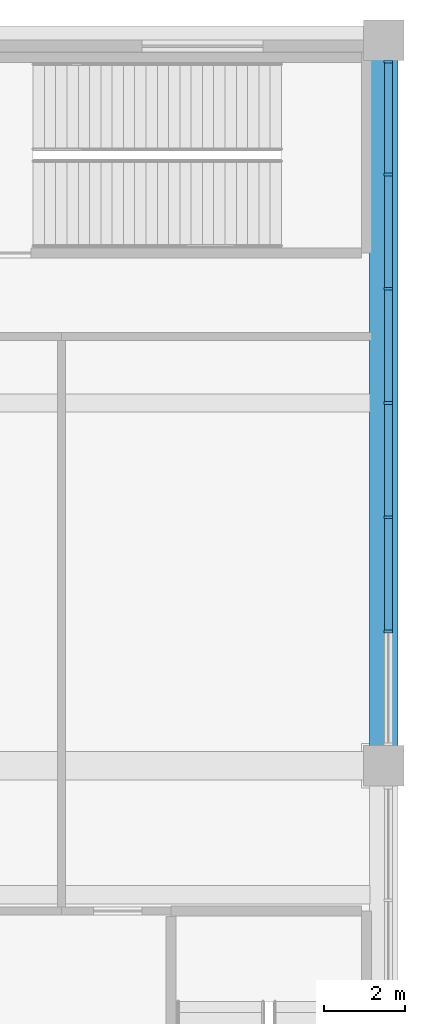
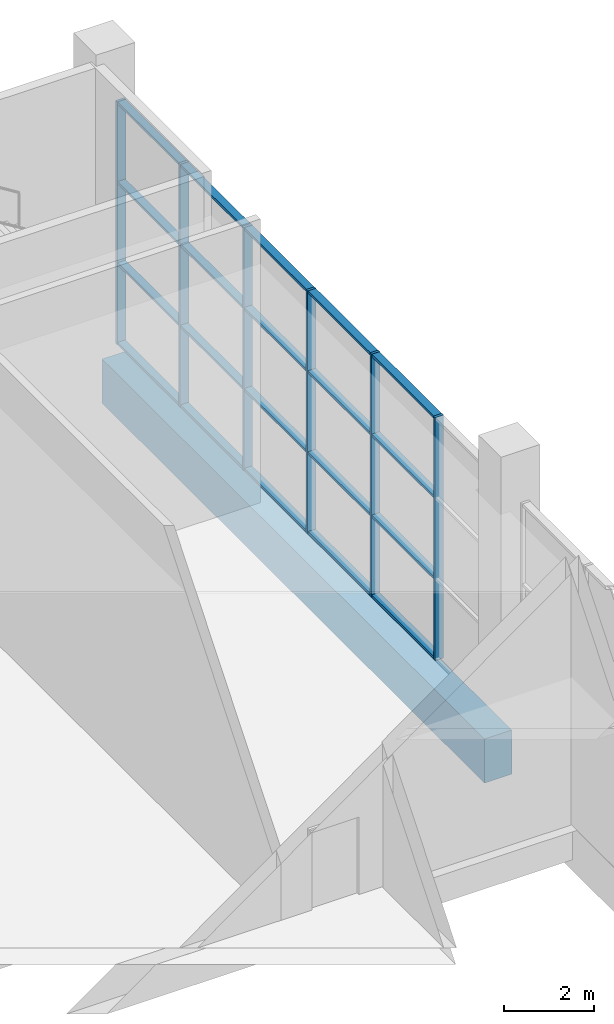
# One storey, part 3 of 15: 26 members, 1 beam, 1 element without a shape of its own.
"""IFC4 building model written with IfcOpenShell, lengths in metres."""

from ifc_helpers import new_model, si_unit, direction, frame, origin, origin_2d, place, context, subcontext, project, spatial, rectangle, extrude, material, material_profile, profile_set, type_object, element, aggregate, save


model = new_model("IFC4")

# Units and contexts
model_context = context("Model", 3, precision=1e-05, world=origin(), true_north=direction((0.0, 1.0)))
body_context = subcontext(model_context, "Body", "Model", "MODEL_VIEW")
ifc_project = project(units=[si_unit("LENGTHUNIT", "METRE"), si_unit("AREAUNIT", "SQUARE_METRE"), si_unit("VOLUMEUNIT", "CUBIC_METRE"), si_unit("PLANEANGLEUNIT", "RADIAN"), si_unit("MASSUNIT", "GRAM", prefix="KILO")], contexts=[model_context])

# Site, building, storey
site_placement = place(None, origin())
site = spatial("IfcSite", under=ifc_project, at=site_placement, CompositionType="ELEMENT")
building_placement = place(site_placement, origin())
building = spatial("IfcBuilding", under=site, at=building_placement, Name="Vanh Sen Convention Tower", CompositionType="ELEMENT")
storey_placement = place(building_placement, frame((0.0, 0.0, 21.0)))
storey = spatial("IfcBuildingStorey", under=building, at=storey_placement, Name="L03", CompositionType="ELEMENT", Elevation=21.0)

# Curtain wall, members
ifc_material_1 = material(Name="Aluminium structural glazing system", Category="aluminium")
curtain_wall_type = type_object("IfcCurtainWallType", Name="Podium hall structural glazing", PredefinedType="NOTDEFINED", material=ifc_material_1)
curtain_wall_placement = place(storey_placement, origin())
curtain_wall = element("IfcCurtainWall", 1, at=curtain_wall_placement, inside=storey, type_object=curtain_wall_type, Name="Podium hall glazing 3 L03", PredefinedType="NOTDEFINED")
ifc_material_2 = material(Name="Aluminium mullion", Category="aluminium")
ifc_material_profile_1 = material_profile(ifc_material_2, rectangle(XDim=0.219970703125, YDim=0.070068359375, at=origin_2d()), Name="Hall glazing mullion 70 x 220")
ifc_profile_set_1 = profile_set([ifc_material_profile_1], Name="Aluminium mullion")
member_type_1 = type_object("IfcMemberType", Name="Hall glazing mullion 70 x 220", PredefinedType="MULLION", material=ifc_profile_set_1)
member_1_placement = place(storey_placement, frame((45.110107421875, 12.333251953125, 0.0), z_axis=(0.0, 0.0, 1.0), x_axis=(-1.0, 0.0, 0.0)))
member_1 = element("IfcMember", 2, at=member_1_placement, type_object=member_type_1, Name="CW4 mullion 2", PredefinedType="MULLION", context=body_context, shape_type="SweptSolid", body=[
    extrude(rectangle(XDim=0.219970703125, YDim=0.070068359375, at=origin_2d()), origin(), (0.0, 0.0, 1.0), 6.60009765625),
])
member_2_placement = place(storey_placement, frame((45.110107421875, 15.166748046875, 0.0), z_axis=(0.0, 0.0, 1.0), x_axis=(-1.0, 0.0, 0.0)))
member_2 = element("IfcMember", 3, at=member_2_placement, type_object=member_type_1, Name="CW4 mullion 3", PredefinedType="MULLION", context=body_context, shape_type="SweptSolid", body=[
    extrude(rectangle(XDim=0.219970703125, YDim=0.070068359375, at=origin_2d()), origin(), (0.0, 0.0, 1.0), 6.60009765625),
])
member_3_placement = place(storey_placement, frame((45.110107421875, 18.0, 0.0), z_axis=(0.0, 0.0, 1.0), x_axis=(-1.0, 0.0, 0.0)))
member_3 = element("IfcMember", 4, at=member_3_placement, type_object=member_type_1, Name="CW4 mullion 4", PredefinedType="MULLION", context=body_context, shape_type="SweptSolid", body=[
    extrude(rectangle(XDim=0.219970703125, YDim=0.070068359375, at=origin_2d()), origin(), (0.0, 0.0, 1.0), 6.60009765625),
])
member_4_placement = place(storey_placement, frame((45.110107421875, 20.833251953125, 0.0), z_axis=(0.0, 0.0, 1.0), x_axis=(-1.0, 0.0, 0.0)))
member_4 = element("IfcMember", 5, at=member_4_placement, type_object=member_type_1, Name="CW4 mullion 5", PredefinedType="MULLION", context=body_context, shape_type="SweptSolid", body=[
    extrude(rectangle(XDim=0.219970703125, YDim=0.070068359375, at=origin_2d()), origin(), (0.0, 0.0, 1.0), 6.60009765625),
])
member_5_placement = place(storey_placement, frame((45.110107421875, 23.666748046875, 0.0), z_axis=(0.0, 0.0, 1.0), x_axis=(-1.0, 0.0, 0.0)))
member_5 = element("IfcMember", 6, at=member_5_placement, type_object=member_type_1, Name="CW4 mullion 6", PredefinedType="MULLION", context=body_context, shape_type="SweptSolid", body=[
    extrude(rectangle(XDim=0.219970703125, YDim=0.070068359375, at=origin_2d()), origin(), (0.0, 0.0, 1.0), 6.60009765625),
])
member_6_placement = place(storey_placement, frame((45.110107421875, 26.465087890625, 0.0), z_axis=(0.0, 0.0, 1.0), x_axis=(-1.0, 0.0, 0.0)))
member_6 = element("IfcMember", 7, at=member_6_placement, type_object=member_type_1, Name="CW4 mullion 7", PredefinedType="MULLION", context=body_context, shape_type="SweptSolid", body=[
    extrude(rectangle(XDim=0.219970703125, YDim=0.070068359375, at=origin_2d()), origin(), (0.0, 0.0, 1.0), 6.60009765625),
])
ifc_material_3 = material(Name="Aluminium transom", Category="aluminium")
ifc_material_profile_2 = material_profile(ifc_material_3, rectangle(XDim=0.199951171875, YDim=0.070068359375, at=origin_2d()), Name="Hall glazing transom 200 x 70")
ifc_profile_set_2 = profile_set([ifc_material_profile_2], Name="Aluminium transom")
member_type_2 = type_object("IfcMemberType", Name="Hall glazing transom 200 x 70", PredefinedType="USERDEFINED", material=ifc_profile_set_2)
member_7_placement = place(storey_placement, frame((45.110107421875, 12.368408203125, 0.034912109375), z_axis=(0.0, 1.0, 0.0), x_axis=(-1.0, 0.0, 0.0)))
member_7 = element("IfcMember", 8, at=member_7_placement, type_object=member_type_2, Name="CW4 transom 2.1", ObjectType="TRANSOM", PredefinedType="USERDEFINED", context=body_context, shape_type="SweptSolid", body=[
    extrude(rectangle(XDim=0.199951171875, YDim=0.070068359375, at=origin_2d()), origin(), (0.0, 0.0, 1.0), 2.76318359375),
])
member_8_placement = place(storey_placement, frame((45.110107421875, 12.368408203125, 2.199951171875), z_axis=(0.0, 1.0, 0.0), x_axis=(-1.0, 0.0, 0.0)))
member_8 = element("IfcMember", 9, at=member_8_placement, type_object=member_type_2, Name="CW4 transom 2.2", ObjectType="TRANSOM", PredefinedType="USERDEFINED", context=body_context, shape_type="SweptSolid", body=[
    extrude(rectangle(XDim=0.199951171875, YDim=0.070068359375, at=origin_2d()), origin(), (0.0, 0.0, 1.0), 2.76318359375),
])
member_9_placement = place(storey_placement, frame((45.110107421875, 12.368408203125, 4.39990234375), z_axis=(0.0, 1.0, 0.0), x_axis=(-1.0, 0.0, 0.0)))
member_9 = element("IfcMember", 10, at=member_9_placement, type_object=member_type_2, Name="CW4 transom 2.3", ObjectType="TRANSOM", PredefinedType="USERDEFINED", context=body_context, shape_type="SweptSolid", body=[
    extrude(rectangle(XDim=0.199951171875, YDim=0.070068359375, at=origin_2d()), origin(), (0.0, 0.0, 1.0), 2.76318359375),
])
member_10_placement = place(storey_placement, frame((45.110107421875, 12.368408203125, 6.56494140625), z_axis=(0.0, 1.0, 0.0), x_axis=(-1.0, 0.0, 0.0)))
member_10 = element("IfcMember", 11, at=member_10_placement, type_object=member_type_2, Name="CW4 transom 2.4", ObjectType="TRANSOM", PredefinedType="USERDEFINED", context=body_context, shape_type="SweptSolid", body=[
    extrude(rectangle(XDim=0.199951171875, YDim=0.070068359375, at=origin_2d()), origin(), (0.0, 0.0, 1.0), 2.76318359375),
])
member_11_placement = place(storey_placement, frame((45.110107421875, 15.20166015625, 0.034912109375), z_axis=(0.0, 1.0, 0.0), x_axis=(-1.0, 0.0, 0.0)))
member_11 = element("IfcMember", 12, at=member_11_placement, type_object=member_type_2, Name="CW4 transom 3.1", ObjectType="TRANSOM", PredefinedType="USERDEFINED", context=body_context, shape_type="SweptSolid", body=[
    extrude(rectangle(XDim=0.199951171875, YDim=0.070068359375, at=origin_2d()), origin(), (0.0, 0.0, 1.0), 2.763427734375),
])
member_12_placement = place(storey_placement, frame((45.110107421875, 15.20166015625, 2.199951171875), z_axis=(0.0, 1.0, 0.0), x_axis=(-1.0, 0.0, 0.0)))
member_12 = element("IfcMember", 13, at=member_12_placement, type_object=member_type_2, Name="CW4 transom 3.2", ObjectType="TRANSOM", PredefinedType="USERDEFINED", context=body_context, shape_type="SweptSolid", body=[
    extrude(rectangle(XDim=0.199951171875, YDim=0.070068359375, at=origin_2d()), origin(), (0.0, 0.0, 1.0), 2.763427734375),
])
member_13_placement = place(storey_placement, frame((45.110107421875, 15.20166015625, 4.39990234375), z_axis=(0.0, 1.0, 0.0), x_axis=(-1.0, 0.0, 0.0)))
member_13 = element("IfcMember", 14, at=member_13_placement, type_object=member_type_2, Name="CW4 transom 3.3", ObjectType="TRANSOM", PredefinedType="USERDEFINED", context=body_context, shape_type="SweptSolid", body=[
    extrude(rectangle(XDim=0.199951171875, YDim=0.070068359375, at=origin_2d()), origin(), (0.0, 0.0, 1.0), 2.763427734375),
])
member_14_placement = place(storey_placement, frame((45.110107421875, 15.20166015625, 6.56494140625), z_axis=(0.0, 1.0, 0.0), x_axis=(-1.0, 0.0, 0.0)))
member_14 = element("IfcMember", 15, at=member_14_placement, type_object=member_type_2, Name="CW4 transom 3.4", ObjectType="TRANSOM", PredefinedType="USERDEFINED", context=body_context, shape_type="SweptSolid", body=[
    extrude(rectangle(XDim=0.199951171875, YDim=0.070068359375, at=origin_2d()), origin(), (0.0, 0.0, 1.0), 2.763427734375),
])
member_15_placement = place(storey_placement, frame((45.110107421875, 18.034912109375, 0.034912109375), z_axis=(0.0, 1.0, 0.0), x_axis=(-1.0, 0.0, 0.0)))
member_15 = element("IfcMember", 16, at=member_15_placement, type_object=member_type_2, Name="CW4 transom 4.1", ObjectType="TRANSOM", PredefinedType="USERDEFINED", context=body_context, shape_type="SweptSolid", body=[
    extrude(rectangle(XDim=0.199951171875, YDim=0.070068359375, at=origin_2d()), origin(), (0.0, 0.0, 1.0), 2.763427734375),
])
member_16_placement = place(storey_placement, frame((45.110107421875, 18.034912109375, 2.199951171875), z_axis=(0.0, 1.0, 0.0), x_axis=(-1.0, 0.0, 0.0)))
member_16 = element("IfcMember", 17, at=member_16_placement, type_object=member_type_2, Name="CW4 transom 4.2", ObjectType="TRANSOM", PredefinedType="USERDEFINED", context=body_context, shape_type="SweptSolid", body=[
    extrude(rectangle(XDim=0.199951171875, YDim=0.070068359375, at=origin_2d()), origin(), (0.0, 0.0, 1.0), 2.763427734375),
])
member_17_placement = place(storey_placement, frame((45.110107421875, 18.034912109375, 4.39990234375), z_axis=(0.0, 1.0, 0.0), x_axis=(-1.0, 0.0, 0.0)))
member_17 = element("IfcMember", 18, at=member_17_placement, type_object=member_type_2, Name="CW4 transom 4.3", ObjectType="TRANSOM", PredefinedType="USERDEFINED", context=body_context, shape_type="SweptSolid", body=[
    extrude(rectangle(XDim=0.199951171875, YDim=0.070068359375, at=origin_2d()), origin(), (0.0, 0.0, 1.0), 2.763427734375),
])
member_18_placement = place(storey_placement, frame((45.110107421875, 18.034912109375, 6.56494140625), z_axis=(0.0, 1.0, 0.0), x_axis=(-1.0, 0.0, 0.0)))
member_18 = element("IfcMember", 19, at=member_18_placement, type_object=member_type_2, Name="CW4 transom 4.4", ObjectType="TRANSOM", PredefinedType="USERDEFINED", context=body_context, shape_type="SweptSolid", body=[
    extrude(rectangle(XDim=0.199951171875, YDim=0.070068359375, at=origin_2d()), origin(), (0.0, 0.0, 1.0), 2.763427734375),
])
member_19_placement = place(storey_placement, frame((45.110107421875, 20.868408203125, 0.034912109375), z_axis=(0.0, 1.0, 0.0), x_axis=(-1.0, 0.0, 0.0)))
member_19 = element("IfcMember", 20, at=member_19_placement, type_object=member_type_2, Name="CW4 transom 5.1", ObjectType="TRANSOM", PredefinedType="USERDEFINED", context=body_context, shape_type="SweptSolid", body=[
    extrude(rectangle(XDim=0.199951171875, YDim=0.070068359375, at=origin_2d()), origin(), (0.0, 0.0, 1.0), 2.76318359375),
])
member_20_placement = place(storey_placement, frame((45.110107421875, 20.868408203125, 2.199951171875), z_axis=(0.0, 1.0, 0.0), x_axis=(-1.0, 0.0, 0.0)))
member_20 = element("IfcMember", 21, at=member_20_placement, type_object=member_type_2, Name="CW4 transom 5.2", ObjectType="TRANSOM", PredefinedType="USERDEFINED", context=body_context, shape_type="SweptSolid", body=[
    extrude(rectangle(XDim=0.199951171875, YDim=0.070068359375, at=origin_2d()), origin(), (0.0, 0.0, 1.0), 2.76318359375),
])
member_21_placement = place(storey_placement, frame((45.110107421875, 20.868408203125, 4.39990234375), z_axis=(0.0, 1.0, 0.0), x_axis=(-1.0, 0.0, 0.0)))
member_21 = element("IfcMember", 22, at=member_21_placement, type_object=member_type_2, Name="CW4 transom 5.3", ObjectType="TRANSOM", PredefinedType="USERDEFINED", context=body_context, shape_type="SweptSolid", body=[
    extrude(rectangle(XDim=0.199951171875, YDim=0.070068359375, at=origin_2d()), origin(), (0.0, 0.0, 1.0), 2.76318359375),
])
member_22_placement = place(storey_placement, frame((45.110107421875, 20.868408203125, 6.56494140625), z_axis=(0.0, 1.0, 0.0), x_axis=(-1.0, 0.0, 0.0)))
member_22 = element("IfcMember", 23, at=member_22_placement, type_object=member_type_2, Name="CW4 transom 5.4", ObjectType="TRANSOM", PredefinedType="USERDEFINED", context=body_context, shape_type="SweptSolid", body=[
    extrude(rectangle(XDim=0.199951171875, YDim=0.070068359375, at=origin_2d()), origin(), (0.0, 0.0, 1.0), 2.76318359375),
])
member_23_placement = place(storey_placement, frame((45.110107421875, 23.70166015625, 0.034912109375), z_axis=(0.0, 1.0, 0.0), x_axis=(-1.0, 0.0, 0.0)))
member_23 = element("IfcMember", 24, at=member_23_placement, type_object=member_type_2, Name="CW4 transom 6.1", ObjectType="TRANSOM", PredefinedType="USERDEFINED", context=body_context, shape_type="SweptSolid", body=[
    extrude(rectangle(XDim=0.199951171875, YDim=0.070068359375, at=origin_2d()), origin(), (0.0, 0.0, 1.0), 2.728271484375),
])
member_24_placement = place(storey_placement, frame((45.110107421875, 23.70166015625, 2.199951171875), z_axis=(0.0, 1.0, 0.0), x_axis=(-1.0, 0.0, 0.0)))
member_24 = element("IfcMember", 25, at=member_24_placement, type_object=member_type_2, Name="CW4 transom 6.2", ObjectType="TRANSOM", PredefinedType="USERDEFINED", context=body_context, shape_type="SweptSolid", body=[
    extrude(rectangle(XDim=0.199951171875, YDim=0.070068359375, at=origin_2d()), origin(), (0.0, 0.0, 1.0), 2.728271484375),
])
member_25_placement = place(storey_placement, frame((45.110107421875, 23.70166015625, 4.39990234375), z_axis=(0.0, 1.0, 0.0), x_axis=(-1.0, 0.0, 0.0)))
member_25 = element("IfcMember", 26, at=member_25_placement, type_object=member_type_2, Name="CW4 transom 6.3", ObjectType="TRANSOM", PredefinedType="USERDEFINED", context=body_context, shape_type="SweptSolid", body=[
    extrude(rectangle(XDim=0.199951171875, YDim=0.070068359375, at=origin_2d()), origin(), (0.0, 0.0, 1.0), 2.728271484375),
])
member_26_placement = place(storey_placement, frame((45.110107421875, 23.70166015625, 6.56494140625), z_axis=(0.0, 1.0, 0.0), x_axis=(-1.0, 0.0, 0.0)))
member_26 = element("IfcMember", 27, at=member_26_placement, type_object=member_type_2, Name="CW4 transom 6.4", ObjectType="TRANSOM", PredefinedType="USERDEFINED", context=body_context, shape_type="SweptSolid", body=[
    extrude(rectangle(XDim=0.199951171875, YDim=0.070068359375, at=origin_2d()), origin(), (0.0, 0.0, 1.0), 2.728271484375),
])
aggregate(curtain_wall, [member_1, member_2, member_3, member_4, member_5, member_6, member_7, member_8, member_9, member_10, member_11, member_12, member_13, member_14, member_15, member_16, member_17, member_18, member_19, member_20, member_21, member_22, member_23, member_24, member_25, member_26])

# Beam
ifc_material_4 = material(Name="Concrete C50/60", Category="concrete")
ifc_material_profile_3 = material_profile(ifc_material_4, rectangle(XDim=0.699951171875, YDim=1.199951171875, at=origin_2d()), Name="RC 700X1200")
ifc_profile_set_3 = profile_set([ifc_material_profile_3], Name="Concrete C50/60")
beam_type = type_object("IfcBeamType", Name="Podium girder 700 x 1200", PredefinedType="BEAM", material=ifc_profile_set_3)
beam_placement = place(storey_placement, frame((45.0, 9.4951171875, -0.89990234375), z_axis=(0.0, 1.0, 0.0), x_axis=(-1.0, 0.0, 0.0)))
element("IfcBeam", 28, at=beam_placement, inside=storey, type_object=beam_type, Name="Podium girder 13 L03", PredefinedType="BEAM", context=body_context, shape_type="SweptSolid", body=[
    extrude(rectangle(XDim=0.699951171875, YDim=1.199951171875, at=origin_2d()), origin(), (0.0, 0.0, 1.0), 17.009765625),
])

save(model, "model.ifc")
